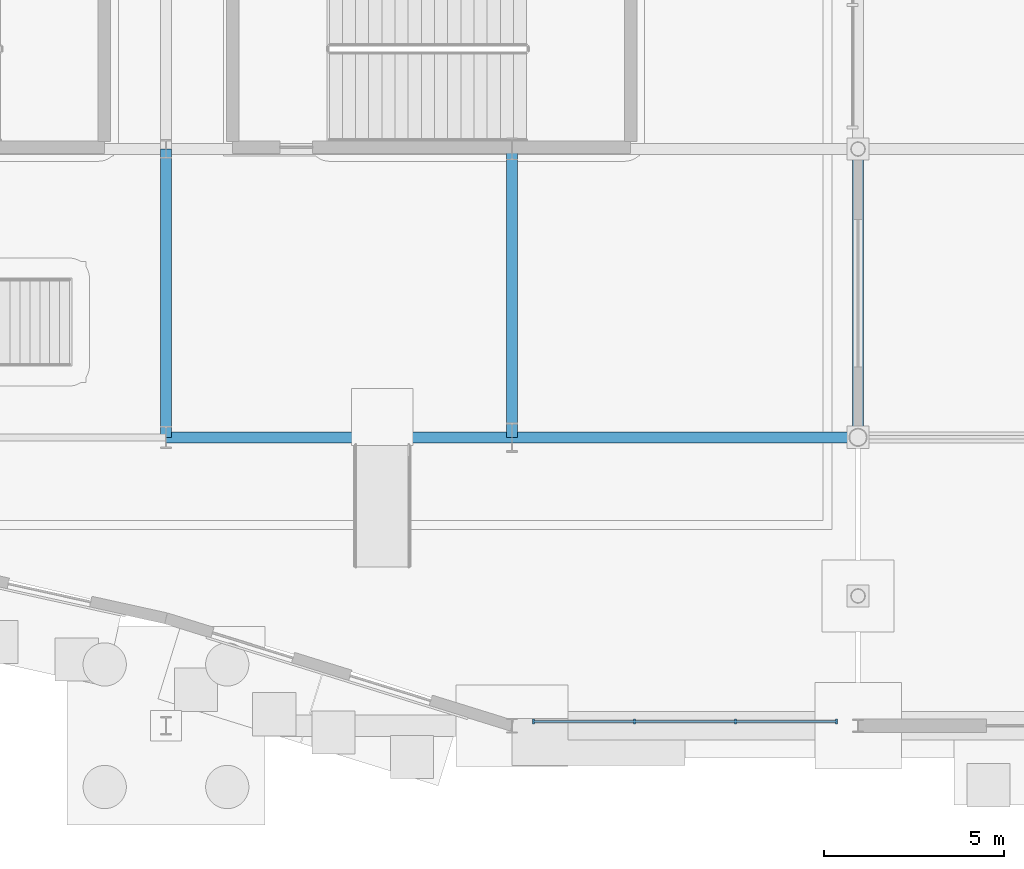
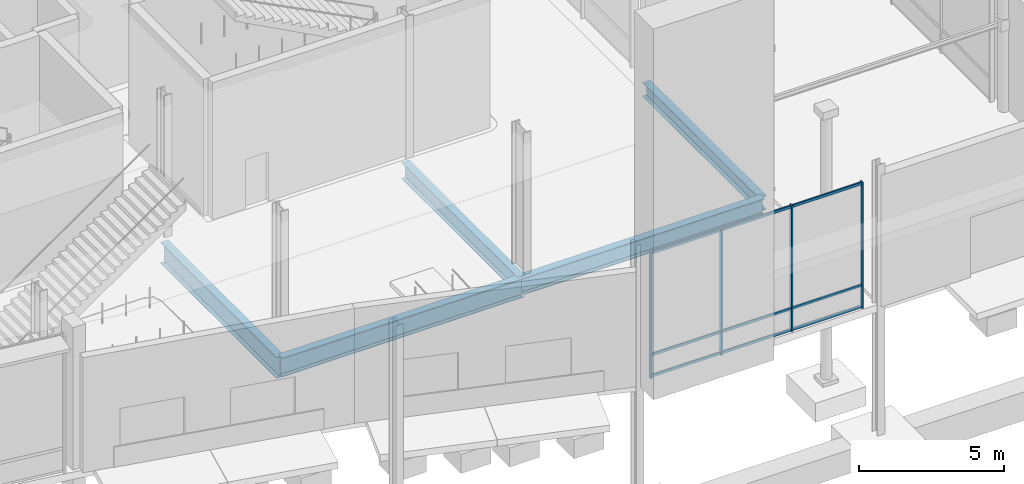
# One storey, part 40 of 124: 7 members, 5 beams, 1 element without a shape of its own.
"""IFC4 building model written with IfcOpenShell, lengths in metres."""

from ifc_helpers import new_model, si_unit, direction, frame, origin, origin_2d, place, context, subcontext, project, spatial, rectangle, i_section, extrude, material, material_profile, profile_set, type_object, element, aggregate, save


model = new_model("IFC4")

# Units and contexts
model_context = context("Model", 3, precision=1e-05, world=origin(), true_north=direction((0.0, 1.0)))
body_context = subcontext(model_context, "Body", "Model", "MODEL_VIEW")
ifc_project = project(units=[si_unit("LENGTHUNIT", "METRE"), si_unit("AREAUNIT", "SQUARE_METRE"), si_unit("VOLUMEUNIT", "CUBIC_METRE"), si_unit("PLANEANGLEUNIT", "RADIAN"), si_unit("MASSUNIT", "GRAM", prefix="KILO")], contexts=[model_context])

# Site, building, storey
site_placement = place(None, origin())
site = spatial("IfcSite", under=ifc_project, at=site_placement, CompositionType="ELEMENT")
building_placement = place(site_placement, origin())
building = spatial("IfcBuilding", under=site, at=building_placement, Name="Danafjord Basin Convention Centre", CompositionType="ELEMENT")
storey_placement = place(building_placement, origin())
storey = spatial("IfcBuildingStorey", under=building, at=storey_placement, Name="L00", CompositionType="ELEMENT", Elevation=0.0)

# Beams
ifc_material_1 = material(Name="Steel S355", Category="steel")
ifc_material_profile_1 = material_profile(ifc_material_1, i_section(OverallWidth=0.300048828125, OverallDepth=0.60009765625, WebThickness=0.015380859375, FlangeThickness=0.030029296875, FilletRadius=0.027099609375, at=origin_2d()), Name="HEB 600")
ifc_profile_set_1 = profile_set([ifc_material_profile_1], Name="Steel S355")
beam_type_1 = type_object("IfcBeamType", Name="BEAM-BM-HEB600", PredefinedType="BEAM", material=ifc_profile_set_1)
beam_1_placement = place(storey_placement, frame((115.199951171875, 8.0, -0.610107421875), z_axis=(0.0, 1.0, 0.0), x_axis=(-1.0, 0.0, 0.0)))
element("IfcBeam", 1, at=beam_1_placement, inside=storey, type_object=beam_type_1, Name="L00 transverse girder BM-HEB600", PredefinedType="BEAM", context=body_context, shape_type="SweptSolid", body=[
    extrude(i_section(OverallWidth=0.300048828125, OverallDepth=0.60009765625, WebThickness=0.015380859375, FlangeThickness=0.030029296875, FilletRadius=0.027099609375, at=origin_2d()), origin(), (0.0, 0.0, 1.0), 8.0),
])
ifc_material_profile_2 = material_profile(ifc_material_1, i_section(OverallWidth=0.300048828125, OverallDepth=0.699951171875, WebThickness=0.01708984375, FlangeThickness=0.031982421875, FilletRadius=0.027099609375, at=origin_2d()), Name="HEB 700")
ifc_profile_set_2 = profile_set([ifc_material_profile_2], Name="Steel S355")
beam_type_2 = type_object("IfcBeamType", Name="BEAM-BM-HEB700", PredefinedType="BEAM", material=ifc_profile_set_2)
beam_2_placement = place(storey_placement, frame((105.60009765625, 8.0, -0.659912109375), z_axis=(1.0, 0.0, 0.0), x_axis=(0.0, 1.0, 0.0)))
element("IfcBeam", 2, at=beam_2_placement, inside=storey, type_object=beam_type_2, Name="L00 girder BM-HEB700", PredefinedType="BEAM", context=body_context, shape_type="SweptSolid", body=[
    extrude(i_section(OverallWidth=0.300048828125, OverallDepth=0.699951171875, WebThickness=0.01708984375, FlangeThickness=0.031982421875, FilletRadius=0.027099609375, at=origin_2d()), origin(), (0.0, 0.0, 1.0), 9.599853515625),
])
beam_3_placement = place(storey_placement, frame((105.60009765625, 8.0, -0.659912109375), z_axis=(0.0, 1.0, 0.0), x_axis=(-1.0, 0.0, 0.0)))
element("IfcBeam", 3, at=beam_3_placement, inside=storey, type_object=beam_type_2, Name="L00 transverse girder BM-HEB700", PredefinedType="BEAM", context=body_context, shape_type="SweptSolid", body=[
    extrude(i_section(OverallWidth=0.300048828125, OverallDepth=0.699951171875, WebThickness=0.01708984375, FlangeThickness=0.031982421875, FilletRadius=0.027099609375, at=origin_2d()), origin(), (0.0, 0.0, 1.0), 8.0),
])
ifc_material_profile_3 = material_profile(ifc_material_1, i_section(OverallWidth=0.300048828125, OverallDepth=0.800048828125, WebThickness=0.017578125, FlangeThickness=0.032958984375, FilletRadius=0.030029296875, at=origin_2d()), Name="HEB 800")
ifc_profile_set_3 = profile_set([ifc_material_profile_3], Name="Steel S355")
beam_type_3 = type_object("IfcBeamType", Name="BEAM-BM-HEB800", PredefinedType="BEAM", material=ifc_profile_set_3)
beam_4_placement = place(storey_placement, frame((96.0, 8.0, -0.7099609375), z_axis=(1.0, 0.0, 0.0), x_axis=(0.0, 1.0, 0.0)))
element("IfcBeam", 4, at=beam_4_placement, inside=storey, type_object=beam_type_3, Name="L00 girder BM-HEB800", PredefinedType="BEAM", context=body_context, shape_type="SweptSolid", body=[
    extrude(i_section(OverallWidth=0.300048828125, OverallDepth=0.800048828125, WebThickness=0.017578125, FlangeThickness=0.032958984375, FilletRadius=0.030029296875, at=origin_2d()), origin(), (0.0, 0.0, 1.0), 9.60009765625),
])
ifc_material_profile_4 = material_profile(ifc_material_1, i_section(OverallWidth=0.300048828125, OverallDepth=0.89990234375, WebThickness=0.0185546875, FlangeThickness=0.034912109375, FilletRadius=0.030029296875, at=origin_2d()), Name="HEB 900")
ifc_profile_set_4 = profile_set([ifc_material_profile_4], Name="Steel S355")
beam_type_4 = type_object("IfcBeamType", Name="BEAM-BM-HEB900", PredefinedType="BEAM", material=ifc_profile_set_4)
beam_5_placement = place(storey_placement, frame((96.0, 8.0, -0.760009765625), z_axis=(0.0, 1.0, 0.0), x_axis=(-1.0, 0.0, 0.0)))
element("IfcBeam", 5, at=beam_5_placement, inside=storey, type_object=beam_type_4, Name="L00 transverse girder BM-HEB900", PredefinedType="BEAM", context=body_context, shape_type="SweptSolid", body=[
    extrude(i_section(OverallWidth=0.300048828125, OverallDepth=0.89990234375, WebThickness=0.0185546875, FlangeThickness=0.034912109375, FilletRadius=0.030029296875, at=origin_2d()), origin(), (0.0, 0.0, 1.0), 8.0),
])

# Curtain wall, members
ifc_material_2 = material(Name="Anodised aluminium and triple glazing", Category="aluminium")
curtain_wall_type = type_object("IfcCurtainWallType", Name="CW-CW-HARB", PredefinedType="NOTDEFINED", material=ifc_material_2)
curtain_wall_placement = place(storey_placement, origin())
curtain_wall = element("IfcCurtainWall", 6, at=curtain_wall_placement, inside=storey, type_object=curtain_wall_type, Name="L00 CW-HARB unitised curtain wall bay 15", PredefinedType="NOTDEFINED")
ifc_material_3 = material(Name="Anodised aluminium EN AW-6060", Category="aluminium")
ifc_material_profile_5 = material_profile(ifc_material_3, rectangle(XDim=0.06005859375, YDim=0.139892578125, at=origin_2d()), Name="MULL 60x140")
ifc_profile_set_5 = profile_set([ifc_material_profile_5], Name="Anodised aluminium EN AW-6060")
member_type_1 = type_object("IfcMemberType", Name="MEM-ML-140", PredefinedType="MULLION", material=ifc_profile_set_5)
member_1_placement = place(storey_placement, frame((106.199951171875, 0.1201171875, -0.02490234375), z_axis=(0.0, 0.0, 1.0), x_axis=(1.0, 0.0, 0.0)))
member_1 = element("IfcMember", 7, at=member_1_placement, type_object=member_type_1, Name="CW-L00-015 mullion 1", PredefinedType="MULLION", context=body_context, shape_type="SweptSolid", body=[
    extrude(rectangle(XDim=0.06005859375, YDim=0.139892578125, at=origin_2d()), origin(), (0.0, 0.0, 1.0), 5.3349609375),
])
member_2_placement = place(storey_placement, frame((109.0, 0.1201171875, -0.02490234375), z_axis=(0.0, 0.0, 1.0), x_axis=(1.0, 0.0, 0.0)))
member_2 = element("IfcMember", 8, at=member_2_placement, type_object=member_type_1, Name="CW-L00-015 mullion 2", PredefinedType="MULLION", context=body_context, shape_type="SweptSolid", body=[
    extrude(rectangle(XDim=0.06005859375, YDim=0.139892578125, at=origin_2d()), origin(), (0.0, 0.0, 1.0), 5.3349609375),
])
member_3_placement = place(storey_placement, frame((111.800048828125, 0.1201171875, -0.02490234375), z_axis=(0.0, 0.0, 1.0), x_axis=(1.0, 0.0, 0.0)))
member_3 = element("IfcMember", 9, at=member_3_placement, type_object=member_type_1, Name="CW-L00-015 mullion 3", PredefinedType="MULLION", context=body_context, shape_type="SweptSolid", body=[
    extrude(rectangle(XDim=0.06005859375, YDim=0.139892578125, at=origin_2d()), origin(), (0.0, 0.0, 1.0), 5.3349609375),
])
member_4_placement = place(storey_placement, frame((114.60009765625, 0.1201171875, -0.02490234375), z_axis=(0.0, 0.0, 1.0), x_axis=(1.0, 0.0, 0.0)))
member_4 = element("IfcMember", 10, at=member_4_placement, type_object=member_type_1, Name="CW-L00-015 mullion 4", PredefinedType="MULLION", context=body_context, shape_type="SweptSolid", body=[
    extrude(rectangle(XDim=0.06005859375, YDim=0.139892578125, at=origin_2d()), origin(), (0.0, 0.0, 1.0), 5.3349609375),
])
ifc_material_profile_6 = material_profile(ifc_material_3, rectangle(XDim=0.06005859375, YDim=0.110107421875, at=origin_2d()), Name="TRAN 60x110")
ifc_profile_set_6 = profile_set([ifc_material_profile_6], Name="Anodised aluminium EN AW-6060")
member_type_2 = type_object("IfcMemberType", Name="MEM-TR-110", PredefinedType="USERDEFINED", material=ifc_profile_set_6)
member_5_placement = place(storey_placement, frame((106.199951171875, 0.1201171875, 0.06005859375), z_axis=(1.0, 0.0, 0.0), x_axis=(0.0, 1.0, 0.0)))
member_5 = element("IfcMember", 11, at=member_5_placement, type_object=member_type_2, Name="CW-L00-015 transom 1", ObjectType="TRANSOM", PredefinedType="USERDEFINED", context=body_context, shape_type="SweptSolid", body=[
    extrude(rectangle(XDim=0.06005859375, YDim=0.110107421875, at=origin_2d()), origin(), (0.0, 0.0, 1.0), 8.400146484375),
])
member_6_placement = place(storey_placement, frame((106.199951171875, 0.1201171875, 0.949951171875), z_axis=(1.0, 0.0, 0.0), x_axis=(0.0, 1.0, 0.0)))
member_6 = element("IfcMember", 12, at=member_6_placement, type_object=member_type_2, Name="CW-L00-015 transom 2", ObjectType="TRANSOM", PredefinedType="USERDEFINED", context=body_context, shape_type="SweptSolid", body=[
    extrude(rectangle(XDim=0.06005859375, YDim=0.110107421875, at=origin_2d()), origin(), (0.0, 0.0, 1.0), 8.400146484375),
])
member_7_placement = place(storey_placement, frame((106.199951171875, 0.1201171875, 5.239990234375), z_axis=(1.0, 0.0, 0.0), x_axis=(0.0, 1.0, 0.0)))
member_7 = element("IfcMember", 13, at=member_7_placement, type_object=member_type_2, Name="CW-L00-015 transom 3", ObjectType="TRANSOM", PredefinedType="USERDEFINED", context=body_context, shape_type="SweptSolid", body=[
    extrude(rectangle(XDim=0.06005859375, YDim=0.110107421875, at=origin_2d()), origin(), (0.0, 0.0, 1.0), 8.400146484375),
])
aggregate(curtain_wall, [member_1, member_2, member_3, member_4, member_5, member_6, member_7])

save(model, "model.ifc")
